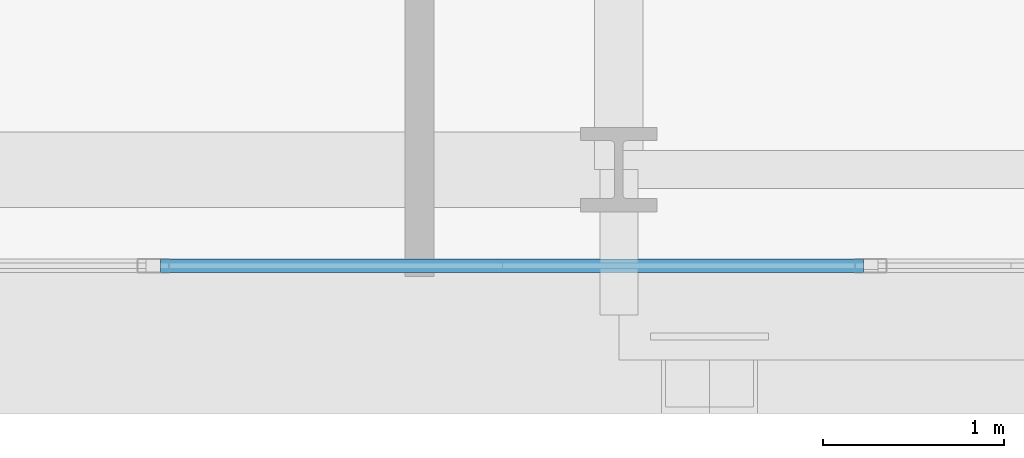
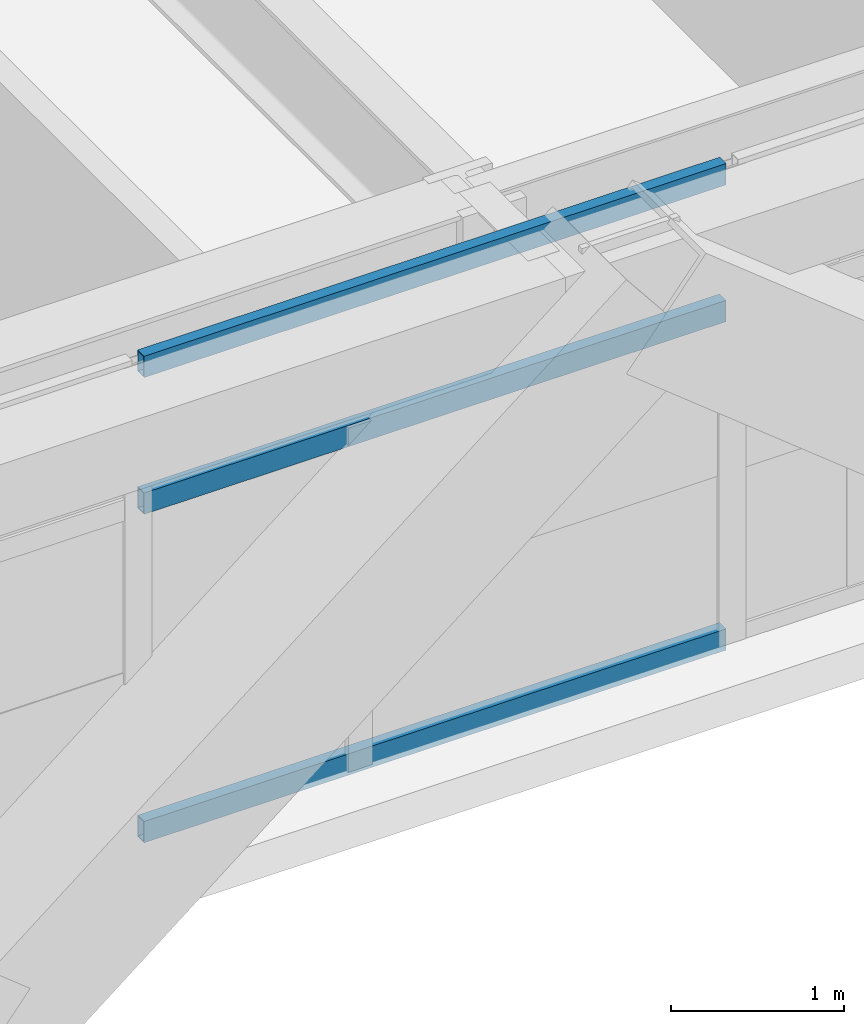
# One storey, part 6 of 41: 3 members, 1 element without a shape of its own.
"""IFC4 building model written with IfcOpenShell, lengths in metres."""

from ifc_helpers import new_model, si_unit, direction, frame, origin, origin_2d, place, context, subcontext, project, spatial, hollow_rectangle, extrude, source, transform, mapped, material, layer, layer_set, material_profile, profile_set, type_object, element, aggregate, save


model = new_model("IFC4")

# Units and contexts
model_context = context("Model", 3, precision=1e-05, world=origin(), true_north=direction((0.0, 1.0)))
body_context = subcontext(model_context, "Body", "Model", "MODEL_VIEW")
ifc_project = project(units=[si_unit("LENGTHUNIT", "METRE"), si_unit("AREAUNIT", "SQUARE_METRE"), si_unit("VOLUMEUNIT", "CUBIC_METRE"), si_unit("PLANEANGLEUNIT", "RADIAN"), si_unit("MASSUNIT", "GRAM", prefix="KILO")], contexts=[model_context])

# Site, building, storey
site_placement = place(None, origin())
site = spatial("IfcSite", under=ifc_project, at=site_placement, CompositionType="ELEMENT")
building_placement = place(site_placement, origin())
building = spatial("IfcBuilding", under=site, at=building_placement, Name="Ocotamira Hotel", CompositionType="ELEMENT")
storey_placement = place(building_placement, frame((0.0, 0.0, 52.800048828125)))
storey = spatial("IfcBuildingStorey", under=building, at=storey_placement, Name="L12", CompositionType="ELEMENT", Elevation=52.800048828125)

# Curtain wall, members
ifc_material_1 = material(Name="Anodised pale-metal aluminium and solar glass", Category="aluminium")
ifc_layer = layer(ifc_material_1, 0.179931640625)
ifc_layer_set = layer_set([ifc_layer], Name="Anodised pale-metal aluminium and solar glass")
curtain_wall_type = type_object("IfcCurtainWallType", Name="CW-SYS2-Z1", PredefinedType="NOTDEFINED", material=ifc_layer_set)
curtain_wall_placement = place(storey_placement, origin())
curtain_wall = element("IfcCurtainWall", 1, at=curtain_wall_placement, inside=storey, type_object=curtain_wall_type, Name="L12 Curtain Wall CW-2 CW-L12-S1", PredefinedType="NOTDEFINED")
ifc_material_2 = material(Name="Anodised pale-metal aluminium 6063-T6", Category="aluminium")
ifc_material_profile = material_profile(ifc_material_2, hollow_rectangle(XDim=0.074951171875, YDim=0.14990234375, WallThickness=0.006103515625, at=origin_2d()), Name="HSS150X75X6")
ifc_profile_set = profile_set([ifc_material_profile], Name="Anodised pale-metal aluminium 6063-T6")
member_type = type_object("IfcMemberType", Name="CWT-150X75", PredefinedType="USERDEFINED", material=ifc_profile_set)
shared_shape = source(origin(), body_context, "Body", "SweptSolid", [
    extrude(hollow_rectangle(XDim=0.074951171875, YDim=0.14990234375, WallThickness=0.006103515625, at=origin_2d()), origin(), (0.0, 0.0, 1.0), 3.87548828125),
])
member_1_placement = place(storey_placement, frame((37.973388671875, 2.419921875, 0.037353515625), z_axis=(1.0, 0.0, 0.0), x_axis=(0.0, 1.0, 0.0)))
member_1 = element("IfcMember", 2, at=member_1_placement, type_object=member_type, Name="CW-2 transom 7.1", ObjectType="TRANSOM", PredefinedType="USERDEFINED", context=body_context, shape_type="MappedRepresentation", body=[
    mapped(shared_shape, transform((0.0, 0.0, 0.0), scale=1.0)),
])
member_2_placement = place(storey_placement, frame((37.973388671875, 2.419921875, 2.349853515625), z_axis=(1.0, 0.0, 0.0), x_axis=(0.0, 1.0, 0.0)))
member_2 = element("IfcMember", 3, at=member_2_placement, type_object=member_type, Name="CW-2 transom 7.2", ObjectType="TRANSOM", PredefinedType="USERDEFINED", context=body_context, shape_type="MappedRepresentation", body=[
    mapped(shared_shape, transform((0.0, 0.0, 0.0), scale=1.0)),
])
member_3_placement = place(storey_placement, frame((37.973388671875, 2.419921875, 3.3125), z_axis=(1.0, 0.0, 0.0), x_axis=(0.0, 1.0, 0.0)))
member_3 = element("IfcMember", 4, at=member_3_placement, type_object=member_type, Name="CW-2 transom 7.3", ObjectType="TRANSOM", PredefinedType="USERDEFINED", context=body_context, shape_type="MappedRepresentation", body=[
    mapped(shared_shape, transform((0.0, 0.0, 0.0), scale=1.0)),
])
aggregate(curtain_wall, [member_1, member_2, member_3])

save(model, "model.ifc")
